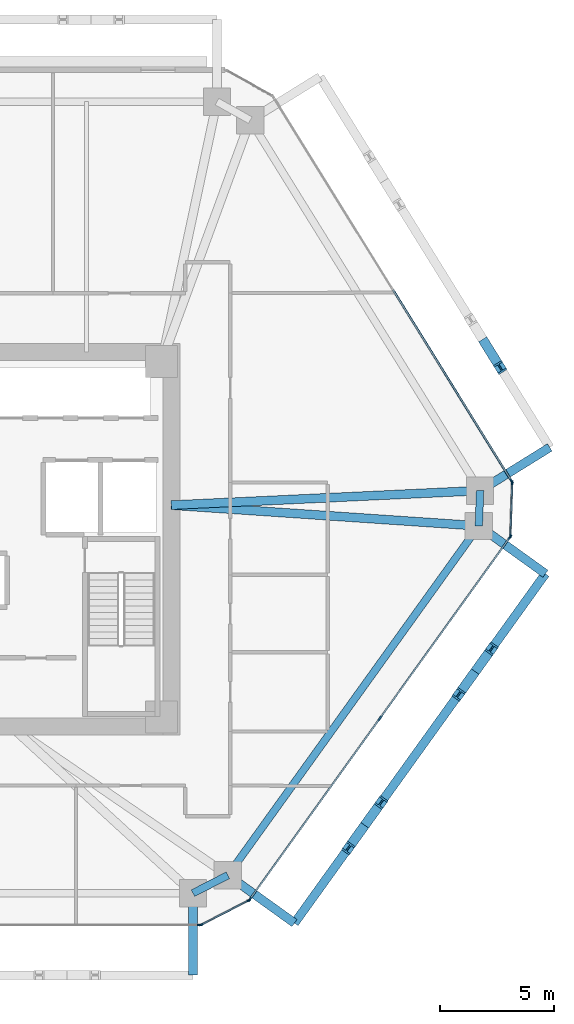
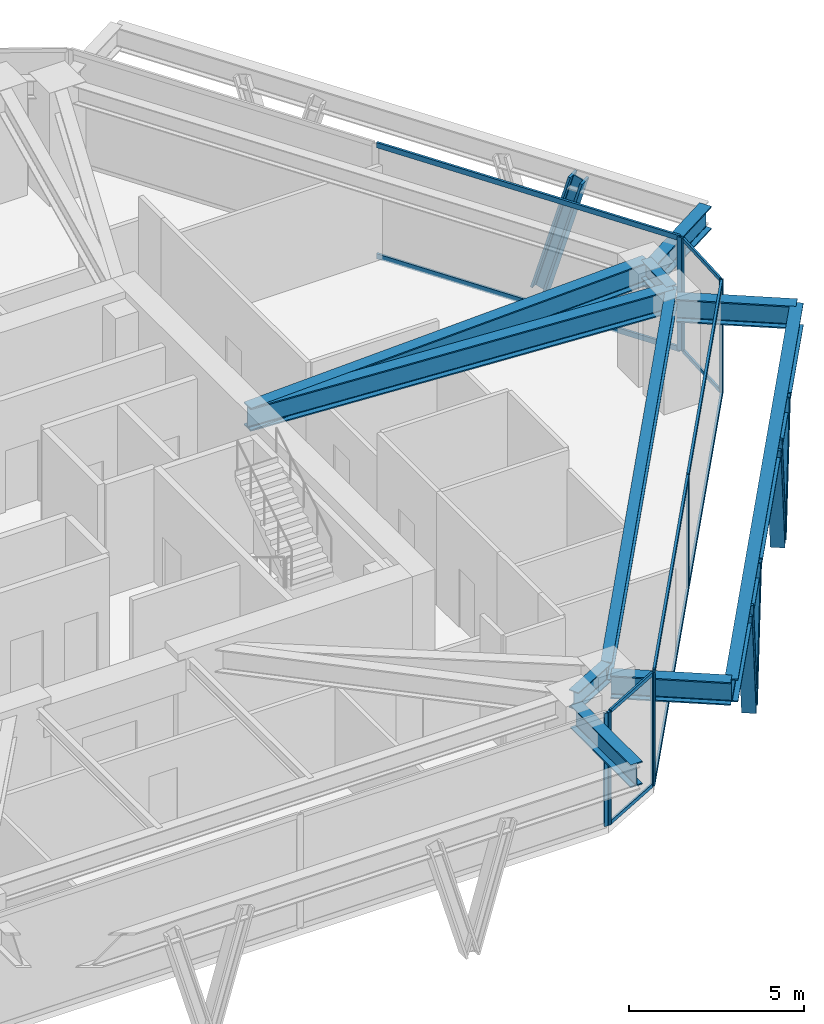
# One storey, part 5 of 14: 24 members, 10 beams, 5 elements without a shape of their own.
"""IFC4 building model written with IfcOpenShell, lengths in metres."""

from ifc_helpers import new_model, si_unit, direction, frame, origin, origin_2d, place, context, subcontext, project, spatial, rectangle, i_section, extrude, source, transform, mapped, material, layer, layer_set, material_profile, profile_set, type_object, type_shapes, element, aggregate, save


model = new_model("IFC4")

# Units and contexts
model_context = context("Model", 3, precision=1e-05, world=origin(), true_north=direction((0.0, 1.0)))
body_context = subcontext(model_context, "Body", "Model", "MODEL_VIEW")
ifc_project = project(units=[si_unit("LENGTHUNIT", "METRE"), si_unit("AREAUNIT", "SQUARE_METRE"), si_unit("VOLUMEUNIT", "CUBIC_METRE"), si_unit("PLANEANGLEUNIT", "RADIAN"), si_unit("MASSUNIT", "GRAM", prefix="KILO")], contexts=[model_context])

# Site, building, storey
site_placement = place(None, origin())
site = spatial("IfcSite", under=ifc_project, at=site_placement, CompositionType="ELEMENT")
building_placement = place(site_placement, origin())
building = spatial("IfcBuilding", under=site, at=building_placement, Name="Durnholm Broadcast Tower", CompositionType="ELEMENT")
storey_placement = place(building_placement, frame((0.0, 0.0, 93.300048828125)))
storey = spatial("IfcBuildingStorey", under=building, at=storey_placement, Name="L24", CompositionType="ELEMENT", Elevation=93.300048828125)

# Beams
ifc_material_1 = material(Name="Steel ASTM A992 Grade 50", Category="steel")
ifc_material_profile_1 = material_profile(ifc_material_1, i_section(OverallWidth=0.385009765625, OverallDepth=0.802978515625, WebThickness=0.023681640625, FlangeThickness=0.0419921875, FilletRadius=0.032958984375, at=origin_2d()), Name="W30X261")
ifc_profile_set_1 = profile_set([ifc_material_profile_1], Name="Steel ASTM A992 Grade 50")
beam_type_1 = type_object("IfcBeamType", Name="BM-EXO-TIE", PredefinedType="USERDEFINED", material=ifc_profile_set_1)
shared_shape_1 = source(origin(), body_context, "Body", "SweptSolid", [
    extrude(i_section(OverallWidth=0.385009765625, OverallDepth=0.802978515625, WebThickness=0.023681640625, FlangeThickness=0.0419921875, FilletRadius=0.032958984375, at=origin_2d()), origin(), (0.0, 0.0, 1.0), 3.4560546875),
])
for number, where, z_axis, x_axis, name in (
    (1, (11.176025390625, -15.680908203125, 3.20849609375), (0.0, -1.0, 0.0), (1.0, 0.0, 0.0), "L24 exoskeleton stand-off tie bracket F1.2"),
    (2, (12.826904296875, -14.834228515625, 3.20849609375), (0.812164951739, -0.583427880005, 0.0), (0.583427880005, 0.812164951739, 0.0), "L24 exoskeleton stand-off tie bracket F2.1"),
    (3, (23.844970703125, 0.5029296875, 3.20849609375), (0.812164951739, -0.583427880005, 0.0), (0.583427880005, 0.812164951739, 0.0), "L24 exoskeleton stand-off tie bracket F2.2"),
    (4, (23.903076171875, 2.21240234375, 3.20849609375), (0.849795112316, 0.527113144481, 0.0), (-0.527113144481, 0.849795112316, 0.0), "L24 exoskeleton stand-off tie bracket F3.1"),
):
    element("IfcBeam", number, at=place(storey_placement, frame(where, z_axis=z_axis, x_axis=x_axis)), inside=storey, type_object=beam_type_1, Name=name, ObjectType="GIRDER", PredefinedType="USERDEFINED", context=body_context, shape_type="MappedRepresentation", body=[
        mapped(shared_shape_1, transform((0.0, 0.0, 0.0), x_axis=(1.0, 0.0, 0.0), y_axis=(0.0, 1.0, 0.0), z_axis=(0.0, 0.0, 1.0), scale=1.0)),
    ])
ifc_material_profile_2 = material_profile(ifc_material_1, i_section(OverallWidth=0.3291015625, OverallDepth=0.635009765625, WebThickness=0.017822265625, FlangeThickness=0.031005859375, FilletRadius=0.02783203125, at=origin_2d()), Name="W24X162")
ifc_profile_set_2 = profile_set([ifc_material_profile_2], Name="Steel ASTM A992 Grade 50")
beam_type_2 = type_object("IfcBeamType", Name="STL-SP-W24X162", PredefinedType="SPANDREL", material=ifc_profile_set_2)
shared_shape_2 = source(origin(), body_context, "Body", "SweptSolid", [
    extrude(i_section(OverallWidth=0.3291015625, OverallDepth=0.635009765625, WebThickness=0.017822265625, FlangeThickness=0.031005859375, FilletRadius=0.02783203125, at=origin_2d()), origin(), (0.0, 0.0, 1.0), 18.884521484375),
])
beam_1_placement = place(storey_placement, frame((23.72802734375, 0.5869140625, 3.62744140625), z_axis=(-0.583443434414, -0.812153777827, 0.0), x_axis=(0.812153777827, -0.583443434414, 0.0)))
element("IfcBeam", 5, at=beam_1_placement, inside=storey, type_object=beam_type_2, Name="L24 perimeter spandrel girder 09", PredefinedType="SPANDREL", context=body_context, shape_type="MappedRepresentation", body=[
    mapped(shared_shape_2, transform((0.0, 0.0, 0.0), x_axis=(1.0, 0.0, 0.0), y_axis=(0.0, 1.0, 0.0), z_axis=(0.0, 0.0, 1.0), scale=1.0)),
])
shared_shape_3 = source(origin(), body_context, "Body", "SweptSolid", [
    extrude(i_section(OverallWidth=0.3291015625, OverallDepth=0.635009765625, WebThickness=0.017822265625, FlangeThickness=0.031005859375, FilletRadius=0.02783203125, at=origin_2d()), origin(), (0.0, 0.0, 1.0), 1.723876953125),
])
beam_2_placement = place(storey_placement, frame((12.7099609375, -14.750244140625, 3.62744140625), z_axis=(-0.889762904339, -0.456423020959, 0.0), x_axis=(0.456423020959, -0.889762904339, 0.0)))
element("IfcBeam", 6, at=beam_2_placement, inside=storey, type_object=beam_type_2, Name="L24 perimeter spandrel girder 10", PredefinedType="SPANDREL", context=body_context, shape_type="MappedRepresentation", body=[
    mapped(shared_shape_3, transform((0.0, 0.0, 0.0), x_axis=(1.0, 0.0, 0.0), y_axis=(0.0, 1.0, 0.0), z_axis=(0.0, 0.0, 1.0), scale=1.0)),
])
shared_shape_4 = source(origin(), body_context, "Body", "SweptSolid", [
    extrude(i_section(OverallWidth=0.3291015625, OverallDepth=0.635009765625, WebThickness=0.017822265625, FlangeThickness=0.031005859375, FilletRadius=0.02783203125, at=origin_2d()), origin(), (0.0, 0.0, 1.0), 1.55078125),
])
type_shapes(beam_type_2, [shared_shape_2, shared_shape_3, shared_shape_4])
beam_3_placement = place(storey_placement, frame((23.78076171875, 2.13671875, 3.62744140625), z_axis=(-0.03400678419, -0.999421602042, 0.0), x_axis=(0.999421602042, -0.03400678419, 0.0)))
element("IfcBeam", 7, at=beam_3_placement, inside=storey, type_object=beam_type_2, Name="L24 perimeter spandrel girder 08", PredefinedType="SPANDREL", context=body_context, shape_type="MappedRepresentation", body=[
    mapped(shared_shape_4, transform((0.0, 0.0, 0.0), x_axis=(1.0, 0.0, 0.0), y_axis=(0.0, 1.0, 0.0), z_axis=(0.0, 0.0, 1.0), scale=1.0)),
])
ifc_material_profile_3 = material_profile(ifc_material_1, i_section(OverallWidth=0.385009765625, OverallDepth=0.802978515625, WebThickness=0.023681640625, FlangeThickness=0.0419921875, FilletRadius=0.032958984375, at=origin_2d()), Name="W30X261")
ifc_profile_set_3 = profile_set([ifc_material_profile_3], Name="Steel ASTM A992 Grade 50")
beam_type_3 = type_object("IfcBeamType", Name="STL-GR-W30X261", PredefinedType="USERDEFINED", material=ifc_profile_set_3)
shared_shape_5 = source(origin(), body_context, "Body", "SweptSolid", [
    extrude(i_section(OverallWidth=0.385009765625, OverallDepth=0.802978515625, WebThickness=0.023681640625, FlangeThickness=0.0419921875, FilletRadius=0.032958984375, at=origin_2d()), origin(), (0.0, 0.0, 1.0), 13.570556640625),
])
beam_4_placement = place(storey_placement, frame((10.22509765625, 1.5, 3.54345703125), z_axis=(0.99889869961, 0.046918950518, 0.0), x_axis=(-0.046918950518, 0.99889869961, 0.0)))
element("IfcBeam", 8, at=beam_4_placement, inside=storey, type_object=beam_type_3, Name="L24 radial primary floor girder 08", ObjectType="GIRDER", PredefinedType="USERDEFINED", context=body_context, shape_type="MappedRepresentation", body=[
    mapped(shared_shape_5, transform((0.0, 0.0, 0.0), x_axis=(1.0, 0.0, 0.0), y_axis=(0.0, 1.0, 0.0), z_axis=(0.0, 0.0, 1.0), scale=1.0)),
])
shared_shape_6 = source(origin(), body_context, "Body", "SweptSolid", [
    extrude(i_section(OverallWidth=0.385009765625, OverallDepth=0.802978515625, WebThickness=0.023681640625, FlangeThickness=0.0419921875, FilletRadius=0.032958984375, at=origin_2d()), origin(), (0.0, 0.0, 1.0), 13.53369140625),
])
type_shapes(beam_type_3, [shared_shape_5, shared_shape_6])
beam_5_placement = place(storey_placement, frame((10.22509765625, 1.5, 3.54345703125), z_axis=(0.99772148964, -0.067467244725, 0.0), x_axis=(0.067467244725, 0.99772148964, 0.0)))
element("IfcBeam", 9, at=beam_5_placement, inside=storey, type_object=beam_type_3, Name="L24 radial primary floor girder 09", ObjectType="GIRDER", PredefinedType="USERDEFINED", context=body_context, shape_type="MappedRepresentation", body=[
    mapped(shared_shape_6, transform((0.0, 0.0, 0.0), x_axis=(1.0, 0.0, 0.0), y_axis=(0.0, 1.0, 0.0), z_axis=(0.0, 0.0, 1.0), scale=1.0)),
])
shared_shape_7 = source(origin(), body_context, "Body", "SweptSolid", [
    extrude(i_section(OverallWidth=0.385009765625, OverallDepth=0.802978515625, WebThickness=0.023681640625, FlangeThickness=0.0419921875, FilletRadius=0.032958984375, at=origin_2d()), origin(), (0.0, 0.0, 1.0), 18.884521484375),
])
type_shapes(beam_type_1, [shared_shape_1, shared_shape_7])
beam_6_placement = place(storey_placement, frame((15.6337890625, -16.8505859375, 3.20849609375), z_axis=(0.583443434414, 0.812153777827, 0.0), x_axis=(-0.812153777827, 0.583443434414, 0.0)))
element("IfcBeam", 10, at=beam_6_placement, inside=storey, type_object=beam_type_1, Name="L24 exoskeleton collector spandrel F2", PredefinedType="SPANDREL", context=body_context, shape_type="MappedRepresentation", body=[
    mapped(shared_shape_7, transform((0.0, 0.0, 0.0), x_axis=(1.0, 0.0, 0.0), y_axis=(0.0, 1.0, 0.0), z_axis=(0.0, 0.0, 1.0), scale=1.0)),
])

# Members
ifc_material_2 = material(Name="Steel ASTM A913 Grade 65", Category="steel")
ifc_material_profile_4 = material_profile(ifc_material_2, i_section(OverallWidth=0.424072265625, OverallDepth=0.47412109375, WebThickness=0.047607421875, FlangeThickness=0.0771484375, FilletRadius=0.030517578125, at=origin_2d()), Name="W14X426")
ifc_profile_set_4 = profile_set([ifc_material_profile_4], Name="Steel ASTM A913 Grade 65")
member_type_1 = type_object("IfcMemberType", Name="STL-DG-W14X426", PredefinedType="BRACE", material=ifc_profile_set_4)
shared_shape_8 = source(origin(), body_context, "Body", "SweptSolid", [
    extrude(i_section(OverallWidth=0.424072265625, OverallDepth=0.47412109375, WebThickness=0.047607421875, FlangeThickness=0.0771484375, FilletRadius=0.030517578125, at=origin_2d()), origin(), (0.0, 0.0, 1.0), 4.43505859375),
])
type_shapes(member_type_1, [shared_shape_8])
for number, where, z_axis, x_axis, name in (
    (11, (18.71875, -12.556396484375, -1.051513671875), (-0.162281783347, -0.225917380887, 0.960534205433), (0.812179469647, -0.583407669717, 0.0), "L24 stand-off diagrid brace F2.D1.1"),
    (12, (18.71875, -12.556396484375, -1.051513671875), (0.162333361984, 0.225967599506, 0.960513676925), (-0.812153063014, 0.583444429434, 0.0), "L24 stand-off diagrid brace F2.D1.2"),
    (13, (23.56689453125, -5.807861328125, -1.051513671875), (-0.162333361984, -0.225967599506, 0.960513676925), (0.812153063014, -0.583444429434, 0.0), "L24 stand-off diagrid brace F2.D2.1"),
    (14, (23.56689453125, -5.807861328125, -1.051513671875), (0.162281783347, 0.225917380887, 0.960534205433), (-0.812179469647, 0.583407669717, 0.0), "L24 stand-off diagrid brace F2.D2.2"),
    (15, (24.01513671875, 8.58837890625, -1.051513671875), (0.146645813457, -0.23642784114, 0.960519068696), (0.849805205368, 0.527096872433, 0.0), "L24 stand-off diagrid brace F3.D1.1"),
):
    element("IfcMember", number, at=place(storey_placement, frame(where, z_axis=z_axis, x_axis=x_axis)), inside=storey, type_object=member_type_1, Name=name, PredefinedType="BRACE", context=body_context, shape_type="MappedRepresentation", body=[
        mapped(shared_shape_8, transform((0.0, 0.0, 0.0), x_axis=(1.0, 0.0, 0.0), y_axis=(0.0, 1.0, 0.0), z_axis=(0.0, 0.0, 1.0), scale=1.0)),
    ])

# Curtain wall, members
ifc_material_3 = material(Name="Aluminium and Solar Control IGU", Category="aluminium")
ifc_layer_1 = layer(ifc_material_3, 0.1650390625)
ifc_layer_set_1 = layer_set([ifc_layer_1], Name="Aluminium and Solar Control IGU")
curtain_wall_type_1 = type_object("IfcCurtainWallType", Name="CW-SYS-5", PredefinedType="NOTDEFINED", material=ifc_layer_set_1)
curtain_wall_1_placement = place(storey_placement, origin())
curtain_wall_1 = element("IfcCurtainWall", 16, at=curtain_wall_1_placement, inside=storey, type_object=curtain_wall_type_1, Name="L24 curtain wall CW-CORNER CW-L24-CRN-07", PredefinedType="NOTDEFINED")
ifc_material_4 = material(Name="Aluminium 6063-T6", Category="aluminium")
ifc_material_profile_5 = material_profile(ifc_material_4, rectangle(XDim=0.06494140625, YDim=0.1650390625, at=origin_2d()), Name="CWM65X165")
ifc_profile_set_5 = profile_set([ifc_material_profile_5], Name="Aluminium 6063-T6")
member_type_2 = type_object("IfcMemberType", Name="CW-SYS-5-MUL", PredefinedType="MULLION", material=ifc_profile_set_5)
shared_shape_9 = source(origin(), body_context, "Body", "SweptSolid", [
    extrude(rectangle(XDim=0.06494140625, YDim=0.1650390625, at=origin_2d()), origin(), (0.0, 0.0, 1.0), 3.9599609375),
])
type_shapes(member_type_2, [shared_shape_9])
member_1_placement = place(storey_placement, frame((25.193115234375, 2.481201171875, 0.0), z_axis=(0.0, 0.0, 1.0), x_axis=(0.999424655155, -0.033916937775, 0.0)))
member_1 = element("IfcMember", 17, at=member_1_placement, type_object=member_type_2, Name="CW-CORNER mullion 1", PredefinedType="MULLION", context=body_context, shape_type="MappedRepresentation", body=[
    mapped(shared_shape_9, transform((0.0, 0.0, 0.0), x_axis=(1.0, 0.0, 0.0), y_axis=(0.0, 1.0, 0.0), z_axis=(0.0, 0.0, 1.0), scale=1.0)),
])
member_2_placement = place(storey_placement, frame((25.114013671875, 0.1474609375, 0.0), z_axis=(0.0, 0.0, 1.0), x_axis=(0.999424655155, -0.033916937775, 0.0)))
member_2 = element("IfcMember", 18, at=member_2_placement, type_object=member_type_2, Name="CW-CORNER mullion 2", PredefinedType="MULLION", context=body_context, shape_type="MappedRepresentation", body=[
    mapped(shared_shape_9, transform((0.0, 0.0, 0.0), x_axis=(1.0, 0.0, 0.0), y_axis=(0.0, 1.0, 0.0), z_axis=(0.0, 0.0, 1.0), scale=1.0)),
])

curtain_wall_2_placement = place(storey_placement, origin())
curtain_wall_2 = element("IfcCurtainWall", 19, at=curtain_wall_2_placement, inside=storey, type_object=curtain_wall_type_1, Name="L24 curtain wall CW-CORNER CW-L24-CRN-09", PredefinedType="NOTDEFINED")
member_3_placement = place(storey_placement, frame((13.620849609375, -15.8564453125, 0.0), z_axis=(0.0, 0.0, 1.0), x_axis=(0.45637332267, -0.889788396392, 0.0)))
member_3 = element("IfcMember", 20, at=member_3_placement, type_object=member_type_2, Name="CW-CORNER mullion 1", PredefinedType="MULLION", context=body_context, shape_type="MappedRepresentation", body=[
    mapped(shared_shape_9, transform((0.0, 0.0, 0.0), x_axis=(1.0, 0.0, 0.0), y_axis=(0.0, 1.0, 0.0), z_axis=(0.0, 0.0, 1.0), scale=1.0)),
])
member_4_placement = place(storey_placement, frame((11.543212890625, -16.922119140625, 0.0), z_axis=(0.0, 0.0, 1.0), x_axis=(0.45637332267, -0.889788396392, 0.0)))
member_4 = element("IfcMember", 21, at=member_4_placement, type_object=member_type_2, Name="CW-CORNER mullion 2", PredefinedType="MULLION", context=body_context, shape_type="MappedRepresentation", body=[
    mapped(shared_shape_9, transform((0.0, 0.0, 0.0), x_axis=(1.0, 0.0, 0.0), y_axis=(0.0, 1.0, 0.0), z_axis=(0.0, 0.0, 1.0), scale=1.0)),
])

# Member
ifc_material_profile_6 = material_profile(ifc_material_4, rectangle(XDim=0.06494140625, YDim=0.1298828125, at=origin_2d()), Name="CWT65X130")
ifc_profile_set_6 = profile_set([ifc_material_profile_6], Name="Aluminium 6063-T6")
member_type_3 = type_object("IfcMemberType", Name="CW-SYS-5-TRN", PredefinedType="USERDEFINED", material=ifc_profile_set_6)
shared_shape_10 = source(origin(), body_context, "Body", "SweptSolid", [
    extrude(rectangle(XDim=0.06494140625, YDim=0.1298828125, at=origin_2d()), origin(), (0.0, 0.0, 1.0), 2.27001953125),
])
type_shapes(member_type_3, [shared_shape_10])
member_5_placement = place(storey_placement, frame((25.192138671875, 2.44873046875, 0.032470703125), z_axis=(-0.03398444704, -0.999422361847, 0.0), x_axis=(0.999422361847, -0.03398444704, 0.0)))
member_5 = element("IfcMember", 22, at=member_5_placement, type_object=member_type_3, Name="CW-CORNER transom 1.1", ObjectType="TRANSOM", PredefinedType="USERDEFINED", context=body_context, shape_type="MappedRepresentation", body=[
    mapped(shared_shape_10, transform((0.0, 0.0, 0.0), x_axis=(1.0, 0.0, 0.0), y_axis=(0.0, 1.0, 0.0), z_axis=(0.0, 0.0, 1.0), scale=1.0)),
])

member_6_placement = place(storey_placement, frame((25.192138671875, 2.44873046875, 3.927490234375), z_axis=(-0.03398444704, -0.999422361847, 0.0), x_axis=(0.999422361847, -0.03398444704, 0.0)))
member_6 = element("IfcMember", 23, at=member_6_placement, type_object=member_type_3, Name="CW-CORNER transom 1.2", ObjectType="TRANSOM", PredefinedType="USERDEFINED", context=body_context, shape_type="MappedRepresentation", body=[
    mapped(shared_shape_10, transform((0.0, 0.0, 0.0), x_axis=(1.0, 0.0, 0.0), y_axis=(0.0, 1.0, 0.0), z_axis=(0.0, 0.0, 1.0), scale=1.0)),
])

aggregate(curtain_wall_1, [member_1, member_2, member_5, member_6])

member_7_placement = place(storey_placement, frame((13.591796875, -15.871337890625, 0.032470703125), z_axis=(-0.889798425843, -0.456353767781, 0.0), x_axis=(0.456353767781, -0.889798425843, 0.0)))
member_7 = element("IfcMember", 24, at=member_7_placement, type_object=member_type_3, Name="CW-CORNER transom 1.1", ObjectType="TRANSOM", PredefinedType="USERDEFINED", context=body_context, shape_type="MappedRepresentation", body=[
    mapped(shared_shape_10, transform((0.0, 0.0, 0.0), x_axis=(1.0, 0.0, 0.0), y_axis=(0.0, 1.0, 0.0), z_axis=(0.0, 0.0, 1.0), scale=1.0)),
])

member_8_placement = place(storey_placement, frame((13.591796875, -15.871337890625, 3.927490234375), z_axis=(-0.889798425843, -0.456353767781, 0.0), x_axis=(0.456353767781, -0.889798425843, 0.0)))
member_8 = element("IfcMember", 25, at=member_8_placement, type_object=member_type_3, Name="CW-CORNER transom 1.2", ObjectType="TRANSOM", PredefinedType="USERDEFINED", context=body_context, shape_type="MappedRepresentation", body=[
    mapped(shared_shape_10, transform((0.0, 0.0, 0.0), x_axis=(1.0, 0.0, 0.0), y_axis=(0.0, 1.0, 0.0), z_axis=(0.0, 0.0, 1.0), scale=1.0)),
])

aggregate(curtain_wall_2, [member_3, member_4, member_7, member_8])

# Curtain wall, member
ifc_layer_2 = layer(ifc_material_3, 0.219970703125)
ifc_layer_set_2 = layer_set([ifc_layer_2], Name="Aluminium and Solar Control IGU")
curtain_wall_type_2 = type_object("IfcCurtainWallType", Name="CW-SYS-6", PredefinedType="NOTDEFINED", material=ifc_layer_set_2)
curtain_wall_3_placement = place(storey_placement, origin())
curtain_wall_3 = element("IfcCurtainWall", 26, at=curtain_wall_3_placement, inside=storey, type_object=curtain_wall_type_2, Name="L24 curtain wall CW-AMENITY CW-L24-F06", PredefinedType="NOTDEFINED")
ifc_material_profile_7 = material_profile(ifc_material_4, rectangle(XDim=0.074951171875, YDim=0.219970703125, at=origin_2d()), Name="CWM75X220")
ifc_profile_set_7 = profile_set([ifc_material_profile_7], Name="Aluminium 6063-T6")
member_type_4 = type_object("IfcMemberType", Name="CW-SYS-6-MUL", PredefinedType="MULLION", material=ifc_profile_set_7)
shared_shape_11 = source(origin(), body_context, "Body", "SweptSolid", [
    extrude(rectangle(XDim=0.074951171875, YDim=0.219970703125, at=origin_2d()), origin(), (0.0, 0.0, 1.0), 3.9599609375),
])
type_shapes(member_type_4, [shared_shape_11])
member_9_placement = place(storey_placement, frame((25.174560546875, 2.54541015625, 0.0), z_axis=(0.0, 0.0, 1.0), x_axis=(0.849799925229, 0.527105385176, 0.0)))
member_9 = element("IfcMember", 27, at=member_9_placement, type_object=member_type_4, Name="CW-AMENITY mullion 3", PredefinedType="MULLION", context=body_context, shape_type="MappedRepresentation", body=[
    mapped(shared_shape_11, transform((0.0, 0.0, 0.0), x_axis=(1.0, 0.0, 0.0), y_axis=(0.0, 1.0, 0.0), z_axis=(0.0, 0.0, 1.0), scale=1.0)),
])

# Curtain wall, members
curtain_wall_4_placement = place(storey_placement, origin())
curtain_wall_4 = element("IfcCurtainWall", 28, at=curtain_wall_4_placement, inside=storey, type_object=curtain_wall_type_2, Name="L24 curtain wall CW-AMENITY CW-L24-F08", PredefinedType="NOTDEFINED")
member_10_placement = place(storey_placement, frame((25.091064453125, 0.08447265625, 0.0), z_axis=(0.0, 0.0, 1.0), x_axis=(0.812152312759, -0.583445473786, 0.0)))
member_10 = element("IfcMember", 29, at=member_10_placement, type_object=member_type_4, Name="CW-AMENITY mullion 1", PredefinedType="MULLION", context=body_context, shape_type="MappedRepresentation", body=[
    mapped(shared_shape_11, transform((0.0, 0.0, 0.0), x_axis=(1.0, 0.0, 0.0), y_axis=(0.0, 1.0, 0.0), z_axis=(0.0, 0.0, 1.0), scale=1.0)),
])
member_11_placement = place(storey_placement, frame((19.38134765625, -7.86328125, 0.0), z_axis=(0.0, 0.0, 1.0), x_axis=(0.812152312759, -0.583445473786, 0.0)))
member_11 = element("IfcMember", 30, at=member_11_placement, type_object=member_type_4, Name="CW-AMENITY mullion 2", PredefinedType="MULLION", context=body_context, shape_type="MappedRepresentation", body=[
    mapped(shared_shape_11, transform((0.0, 0.0, 0.0), x_axis=(1.0, 0.0, 0.0), y_axis=(0.0, 1.0, 0.0), z_axis=(0.0, 0.0, 1.0), scale=1.0)),
])
member_12_placement = place(storey_placement, frame((13.671630859375, -15.811279296875, 0.0), z_axis=(0.0, 0.0, 1.0), x_axis=(0.812152312759, -0.583445473786, 0.0)))
member_12 = element("IfcMember", 31, at=member_12_placement, type_object=member_type_4, Name="CW-AMENITY mullion 3", PredefinedType="MULLION", context=body_context, shape_type="MappedRepresentation", body=[
    mapped(shared_shape_11, transform((0.0, 0.0, 0.0), x_axis=(1.0, 0.0, 0.0), y_axis=(0.0, 1.0, 0.0), z_axis=(0.0, 0.0, 1.0), scale=1.0)),
])

# Curtain wall, member
curtain_wall_5_placement = place(storey_placement, origin())
curtain_wall_5 = element("IfcCurtainWall", 32, at=curtain_wall_5_placement, inside=storey, type_object=curtain_wall_type_2, Name="L24 curtain wall CW-AMENITY CW-L24-F10", PredefinedType="NOTDEFINED")
member_13_placement = place(storey_placement, frame((11.476806640625, -16.93701171875, 0.0), z_axis=(0.0, 0.0, 1.0), x_axis=(0.0, -1.0, 0.0)))
member_13 = element("IfcMember", 33, at=member_13_placement, type_object=member_type_4, Name="CW-AMENITY mullion 1", PredefinedType="MULLION", context=body_context, shape_type="MappedRepresentation", body=[
    mapped(shared_shape_11, transform((0.0, 0.0, 0.0), x_axis=(1.0, 0.0, 0.0), y_axis=(0.0, 1.0, 0.0), z_axis=(0.0, 0.0, 1.0), scale=1.0)),
])
aggregate(curtain_wall_5, [member_13])

# Member
ifc_material_profile_8 = material_profile(ifc_material_4, rectangle(XDim=0.074951171875, YDim=0.179931640625, at=origin_2d()), Name="CWT75X180")
ifc_profile_set_8 = profile_set([ifc_material_profile_8], Name="Aluminium 6063-T6")
member_type_5 = type_object("IfcMemberType", Name="CW-SYS-6-TRN", PredefinedType="USERDEFINED", material=ifc_profile_set_8)
shared_shape_12 = source(origin(), body_context, "Body", "SweptSolid", [
    extrude(rectangle(XDim=0.074951171875, YDim=0.179931640625, at=origin_2d()), origin(), (0.0, 0.0, 1.0), 9.711181640625),
])
member_14_placement = place(storey_placement, frame((19.359375, -7.893798828125, 0.037353515625), z_axis=(-0.583450064535, -0.812149014771, 0.0), x_axis=(0.812149014771, -0.583450064535, 0.0)))
member_14 = element("IfcMember", 34, at=member_14_placement, type_object=member_type_5, Name="CW-AMENITY transom 2.1", ObjectType="TRANSOM", PredefinedType="USERDEFINED", context=body_context, shape_type="MappedRepresentation", body=[
    mapped(shared_shape_12, transform((0.0, 0.0, 0.0), x_axis=(1.0, 0.0, 0.0), y_axis=(0.0, 1.0, 0.0), z_axis=(0.0, 0.0, 1.0), scale=1.0)),
])

member_15_placement = place(storey_placement, frame((19.359375, -7.893798828125, 3.92236328125), z_axis=(-0.583450064535, -0.812149014771, 0.0), x_axis=(0.812149014771, -0.583450064535, 0.0)))
member_15 = element("IfcMember", 35, at=member_15_placement, type_object=member_type_5, Name="CW-AMENITY transom 2.2", ObjectType="TRANSOM", PredefinedType="USERDEFINED", context=body_context, shape_type="MappedRepresentation", body=[
    mapped(shared_shape_12, transform((0.0, 0.0, 0.0), x_axis=(1.0, 0.0, 0.0), y_axis=(0.0, 1.0, 0.0), z_axis=(0.0, 0.0, 1.0), scale=1.0)),
])

shared_shape_13 = source(origin(), body_context, "Body", "SweptSolid", [
    extrude(rectangle(XDim=0.074951171875, YDim=0.179931640625, at=origin_2d()), origin(), (0.0, 0.0, 1.0), 9.851318359375),
])
member_16_placement = place(storey_placement, frame((19.962158203125, 10.948974609375, 0.037353515625), z_axis=(0.527104352206, -0.849800565948, 0.0), x_axis=(0.849800565948, 0.527104352206, 0.0)))
member_16 = element("IfcMember", 36, at=member_16_placement, type_object=member_type_5, Name="CW-AMENITY transom 2.1", ObjectType="TRANSOM", PredefinedType="USERDEFINED", context=body_context, shape_type="MappedRepresentation", body=[
    mapped(shared_shape_13, transform((0.0, 0.0, 0.0), x_axis=(1.0, 0.0, 0.0), y_axis=(0.0, 1.0, 0.0), z_axis=(0.0, 0.0, 1.0), scale=1.0)),
])

member_17_placement = place(storey_placement, frame((19.962158203125, 10.948974609375, 3.92236328125), z_axis=(0.527104352206, -0.849800565948, 0.0), x_axis=(0.849800565948, 0.527104352206, 0.0)))
member_17 = element("IfcMember", 37, at=member_17_placement, type_object=member_type_5, Name="CW-AMENITY transom 2.2", ObjectType="TRANSOM", PredefinedType="USERDEFINED", context=body_context, shape_type="MappedRepresentation", body=[
    mapped(shared_shape_13, transform((0.0, 0.0, 0.0), x_axis=(1.0, 0.0, 0.0), y_axis=(0.0, 1.0, 0.0), z_axis=(0.0, 0.0, 1.0), scale=1.0)),
])

aggregate(curtain_wall_3, [member_9, member_16, member_17])

shared_shape_14 = source(origin(), body_context, "Body", "SweptSolid", [
    extrude(rectangle(XDim=0.074951171875, YDim=0.179931640625, at=origin_2d()), origin(), (0.0, 0.0, 1.0), 9.71142578125),
])
type_shapes(member_type_5, [shared_shape_12, shared_shape_13, shared_shape_14])
member_18_placement = place(storey_placement, frame((25.069091796875, 0.05419921875, 0.037353515625), z_axis=(-0.583438152148, -0.81215757253, 0.0), x_axis=(0.81215757253, -0.583438152148, 0.0)))
member_18 = element("IfcMember", 38, at=member_18_placement, type_object=member_type_5, Name="CW-AMENITY transom 1.1", ObjectType="TRANSOM", PredefinedType="USERDEFINED", context=body_context, shape_type="MappedRepresentation", body=[
    mapped(shared_shape_14, transform((0.0, 0.0, 0.0), x_axis=(1.0, 0.0, 0.0), y_axis=(0.0, 1.0, 0.0), z_axis=(0.0, 0.0, 1.0), scale=1.0)),
])

member_19_placement = place(storey_placement, frame((25.069091796875, 0.05419921875, 3.92236328125), z_axis=(-0.583438152148, -0.81215757253, 0.0), x_axis=(0.81215757253, -0.583438152148, 0.0)))
member_19 = element("IfcMember", 39, at=member_19_placement, type_object=member_type_5, Name="CW-AMENITY transom 1.2", ObjectType="TRANSOM", PredefinedType="USERDEFINED", context=body_context, shape_type="MappedRepresentation", body=[
    mapped(shared_shape_14, transform((0.0, 0.0, 0.0), x_axis=(1.0, 0.0, 0.0), y_axis=(0.0, 1.0, 0.0), z_axis=(0.0, 0.0, 1.0), scale=1.0)),
])

aggregate(curtain_wall_4, [member_10, member_11, member_12, member_18, member_19, member_14, member_15])

save(model, "model.ifc")
